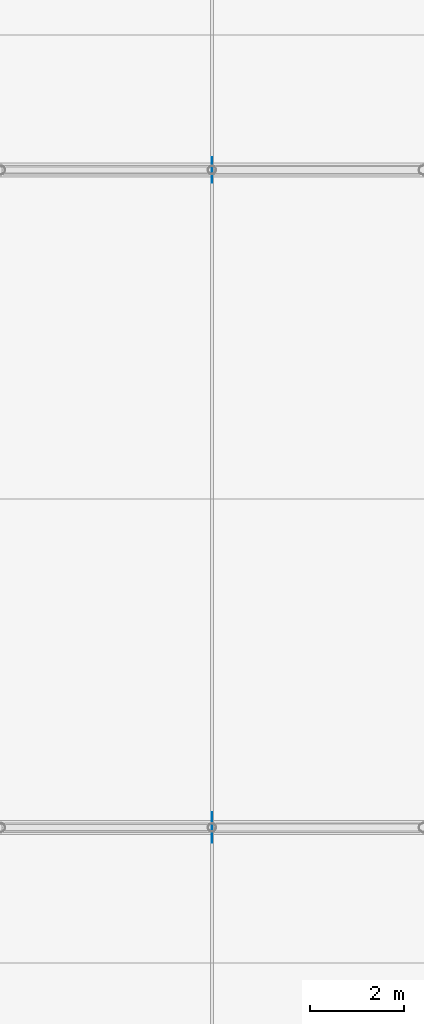
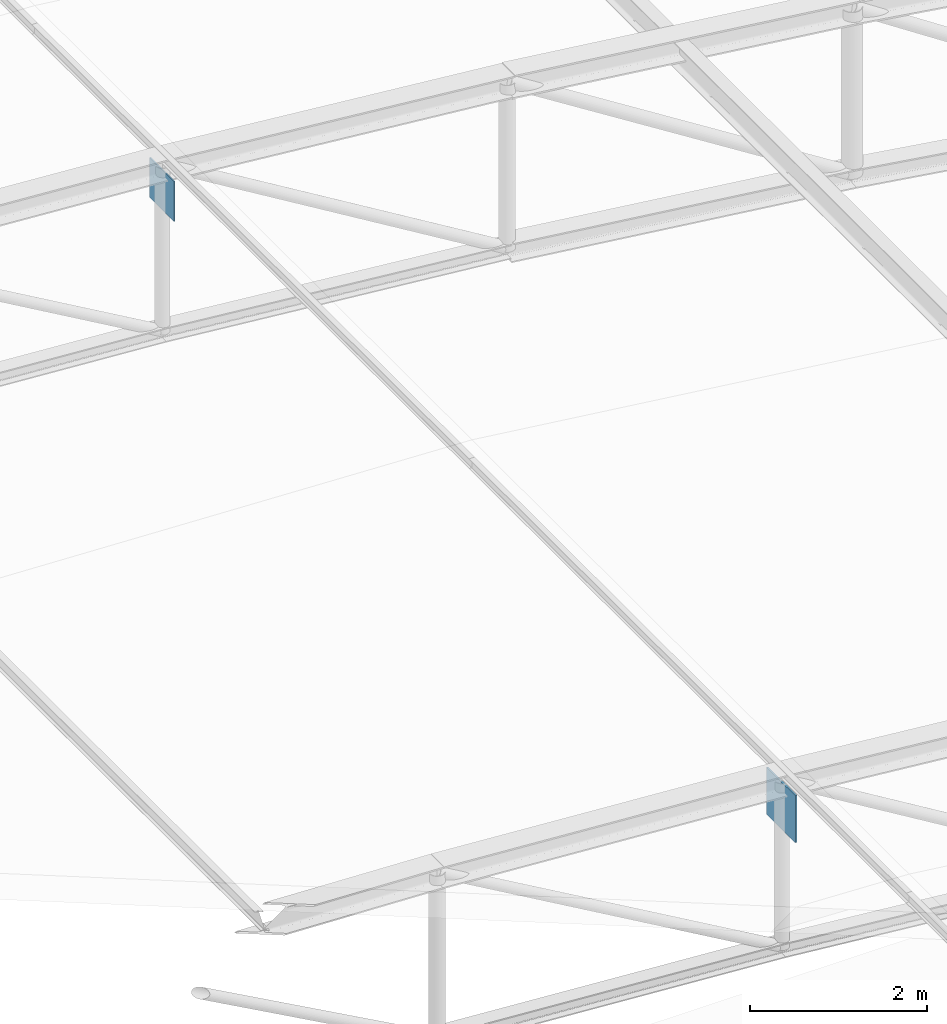
# One storey, part 255 of 262: 2 plates.
"""IFC4 building model written with IfcOpenShell, lengths in metres."""

from ifc_helpers import new_model, si_unit, derived_unit, direction, frame, origin, origin_2d, place, context, subcontext, project, spatial, rectangle, extrude, material, layer, layer_set, type_object, element, save


model = new_model("IFC4")

# Units and contexts
model_context = context("Model", 3, precision=1e-05, world=origin(), true_north=direction((0.0, 1.0)))
body_context = subcontext(model_context, "Body", "Model", "MODEL_VIEW")
ifc_project = project(units=[si_unit("LENGTHUNIT", "METRE"), si_unit("AREAUNIT", "SQUARE_METRE"), si_unit("VOLUMEUNIT", "CUBIC_METRE"), si_unit("PLANEANGLEUNIT", "RADIAN"), si_unit("MASSUNIT", "GRAM", prefix="KILO"), derived_unit("THERMALTRANSMITTANCEUNIT", [(si_unit("POWERUNIT", "WATT"), 1), (si_unit("LENGTHUNIT", "METRE"), -2), (si_unit("THERMODYNAMICTEMPERATUREUNIT", "KELVIN"), -1)])], contexts=[model_context])

# Site, building, storey
site_placement = place(None, origin())
site = spatial("IfcSite", under=ifc_project, at=site_placement, CompositionType="ELEMENT")
building_placement = place(site_placement, origin())
building = spatial("IfcBuilding", under=site, at=building_placement, Name="Almenara Railside Exhibition Hall", CompositionType="ELEMENT")
storey_placement = place(building_placement, frame((0.0, 0.0, 21.699951171875)))
storey = spatial("IfcBuildingStorey", under=building, at=storey_placement, Name="RF", CompositionType="ELEMENT", Elevation=21.699951171875)

# Plates
ifc_material = material(Name="Structural steel S355JR", Category="steel")
ifc_layer_1 = layer(ifc_material, 0.01611328125, Name="Structural steel S355JR")
ifc_layer_set_1 = layer_set([ifc_layer_1], Name="Structural steel S355JR")
plate_type_1 = type_object("IfcPlateType", Name="Truss Node Gusset Plate 16mm S355JR", PredefinedType="USERDEFINED", material=ifc_layer_set_1)
plate_1_placement = place(storey_placement, frame((178.5, 90.0, -6.27490234375), z_axis=(0.0, 0.0, 1.0), x_axis=(0.0, 1.0, 0.0)))
element("IfcPlate", 1, at=plate_1_placement, inside=storey, type_object=plate_type_1, Name="PLT-GUS-0136", ObjectType="GUSSET_PLATE", PredefinedType="USERDEFINED", context=body_context, shape_type="SweptSolid", body=[
    extrude(rectangle(XDim=0.550048828125, YDim=0.01611328125, at=origin_2d()), origin(), (0.0, 0.0, 1.0), 0.550048828125),
])
ifc_layer_2 = layer(ifc_material, 0.02001953125, Name="Structural steel S355JR")
ifc_layer_set_2 = layer_set([ifc_layer_2], Name="Structural steel S355JR")
plate_type_2 = type_object("IfcPlateType", Name="Truss Node Gusset Plate 20mm S355JR", PredefinedType="USERDEFINED", material=ifc_layer_set_2)
plate_2_placement = place(storey_placement, frame((178.5, 76.0, -6.324951171875), z_axis=(0.0, 0.0, 1.0), x_axis=(0.0, 1.0, 0.0)))
element("IfcPlate", 2, at=plate_2_placement, inside=storey, type_object=plate_type_2, Name="PLT-GUS-0131", ObjectType="GUSSET_PLATE", PredefinedType="USERDEFINED", context=body_context, shape_type="SweptSolid", body=[
    extrude(rectangle(XDim=0.64990234375, YDim=0.02001953125, at=origin_2d()), origin(), (0.0, 0.0, 1.0), 0.64990234375),
])

save(model, "model.ifc")
